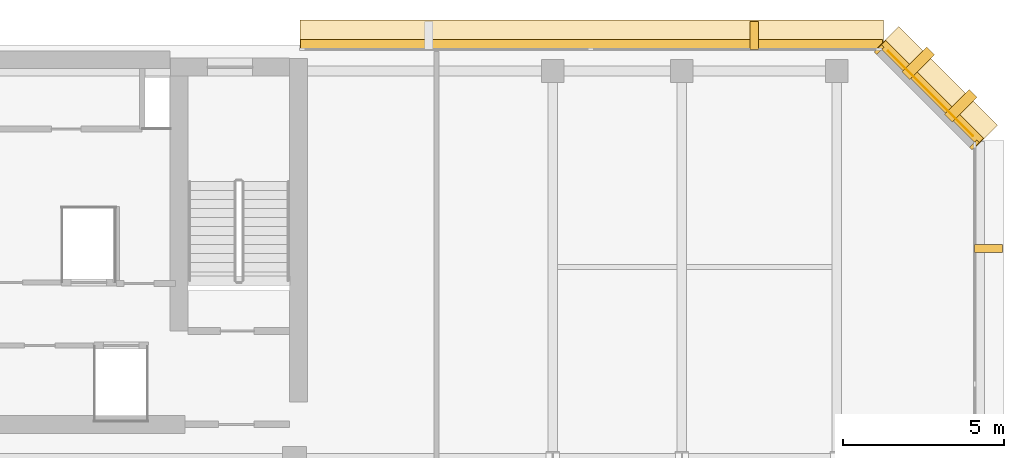
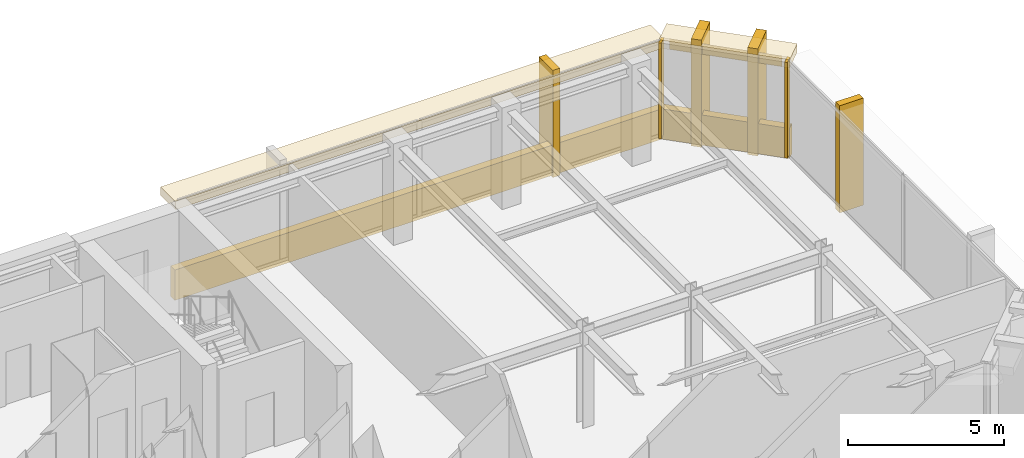
# One storey, part 11 of 11: 11 coverings.
"""IFC4 building model written with IfcOpenShell, lengths in metres."""

from ifc_helpers import new_model, si_unit, direction, frame, origin, origin_2d, place, context, subcontext, project, spatial, rectangle, extrude, material, layer, layer_set, type_object, element, save


model = new_model("IFC4")

# Units and contexts
model_context = context("Model", 3, precision=1e-05, world=origin(), true_north=direction((0.0, 1.0)))
body_context = subcontext(model_context, "Body", "Model", "MODEL_VIEW")
ifc_project = project(units=[si_unit("LENGTHUNIT", "METRE"), si_unit("AREAUNIT", "SQUARE_METRE"), si_unit("VOLUMEUNIT", "CUBIC_METRE"), si_unit("PLANEANGLEUNIT", "RADIAN"), si_unit("MASSUNIT", "GRAM", prefix="KILO")], contexts=[model_context])

# Site, building, storey
site_placement = place(None, origin())
site = spatial("IfcSite", under=ifc_project, at=site_placement, CompositionType="ELEMENT")
building_placement = place(site_placement, origin())
building = spatial("IfcBuilding", under=site, at=building_placement, Name="Kefirva Bronze Tower", CompositionType="ELEMENT")
storey_placement = place(building_placement, frame((0.0, 0.0, 323.72998046875)))
storey = spatial("IfcBuildingStorey", under=building, at=storey_placement, Name="L79", CompositionType="ELEMENT", Elevation=323.72998046875)

# Coverings
ifc_material = material(Name="Bronze anodised aluminium", Category="aluminium")
ifc_layer_1 = layer(ifc_material, 0.02001953125, Name="Bronze anodised aluminium")
ifc_layer_set_1 = layer_set([ifc_layer_1], Name="Bronze anodised aluminium")
covering_type_1 = type_object("IfcCoveringType", Name="Anodised Bronze Spandrel Cladding 20mm", PredefinedType="CLADDING", material=ifc_layer_set_1)
covering_1_placement = place(storey_placement, frame((42.906982421875, 44.507080078125, 3.320068359375), z_axis=(0.0, 0.0, 1.0), x_axis=(-0.707106781187, 0.707106781187, 0.0)))
element("IfcCovering", 1, at=covering_1_placement, inside=storey, type_object=covering_type_1, Name="L79 Bronze Spandrel Cladding 5", PredefinedType="CLADDING", context=body_context, shape_type="SweptSolid", body=[
    extrude(rectangle(XDim=3.719482421875, YDim=0.02001953125, at=origin_2d()), origin(), (0.0, 0.0, 1.0), 0.39990234375),
])
for number, where, z_axis, x_axis, name in (
    (2, (44.26220703125, 42.91162109375, 0.0), (0.0, 0.0, 1.0), (-0.707106781187, 0.707106781187, 0.0), "L79 Facade Joint Closure Panel 5S"),
    (3, (41.311767578125, 45.862060546875, 0.0), (0.0, 0.0, 1.0), (-0.707106781187, 0.707106781187, 0.0), "L79 Facade Joint Closure Panel 5E"),
):
    element("IfcCovering", number, at=place(storey_placement, frame(where, z_axis=z_axis, x_axis=x_axis)), inside=storey, type_object=covering_type_1, Name=name, PredefinedType="CLADDING", context=body_context, shape_type="SweptSolid", body=[
        extrude(rectangle(XDim=0.10009765625, YDim=0.320068359375, at=origin_2d()), origin(), (0.0, 0.0, 1.0), 3.739990234375),
    ])
covering_2_placement = place(storey_placement, frame((42.92822265625, 44.5283203125, -0.16015625), z_axis=(0.0, 0.0, 1.0), x_axis=(-0.707106781187, 0.707106781187, 0.0)))
element("IfcCovering", 4, at=covering_2_placement, inside=storey, type_object=covering_type_1, Name="L79 Streamline Horizontal Spandrel Band 7", PredefinedType="CLADDING", context=body_context, shape_type="SweptSolid", body=[
    extrude(rectangle(XDim=4.28271484375, YDim=0.280029296875, at=origin_2d()), origin(), (0.0, 0.0, 1.0), 1.179931640625),
])
covering_3_placement = place(storey_placement, frame((32.402587890625, 46.0400390625, -0.16015625), z_axis=(0.0, 0.0, 1.0), x_axis=(-1.0, 0.0, 0.0)))
element("IfcCovering", 5, at=covering_3_placement, inside=storey, type_object=covering_type_1, Name="L79 Streamline Horizontal Spandrel Band 8", PredefinedType="CLADDING", context=body_context, shape_type="SweptSolid", body=[
    extrude(rectangle(XDim=18.034912109375, YDim=0.280029296875, at=origin_2d()), origin(), (0.0, 0.0, 1.0), 1.179931640625),
])
ifc_layer_2 = layer(ifc_material, 0.179931640625, Name="Bronze anodised aluminium")
ifc_layer_set_2 = layer_set([ifc_layer_2], Name="Bronze anodised aluminium")
covering_type_2 = type_object("IfcCoveringType", Name="Streamline Bronze Sunshade Eyebrow Cladding 180mm", PredefinedType="CLADDING", material=ifc_layer_set_2)
covering_4_placement = place(storey_placement, frame((43.119140625, 44.71923828125, 3.419921875), z_axis=(0.0, 0.0, 1.0), x_axis=(-0.707106781187, 0.707106781187, 0.0)))
element("IfcCovering", 6, at=covering_4_placement, inside=storey, type_object=covering_type_2, Name="L79 Streamline Bronze Sunshade Eyebrow 7", PredefinedType="CLADDING", context=body_context, shape_type="SweptSolid", body=[
    extrude(rectangle(XDim=4.322509765625, YDim=0.93994140625, at=origin_2d()), origin(), (0.0, 0.0, 1.0), 0.320068359375),
])
covering_5_placement = place(storey_placement, frame((32.402587890625, 46.31005859375, 3.419921875), z_axis=(0.0, 0.0, 1.0), x_axis=(-1.0, 0.0, 0.0)))
element("IfcCovering", 7, at=covering_5_placement, inside=storey, type_object=covering_type_2, Name="L79 Streamline Bronze Sunshade Eyebrow 8", PredefinedType="CLADDING", context=body_context, shape_type="SweptSolid", body=[
    extrude(rectangle(XDim=18.074951171875, YDim=0.93994140625, at=origin_2d()), origin(), (0.0, 0.0, 1.0), 0.320068359375),
])
ifc_layer_3 = layer(ifc_material, 0.260009765625, Name="Bronze anodised aluminium")
ifc_layer_set_3 = layer_set([ifc_layer_3], Name="Bronze anodised aluminium")
covering_type_3 = type_object("IfcCoveringType", Name="Unbroken Bronze Buttress Fin Cladding 260mm", PredefinedType="CLADDING", material=ifc_layer_set_3)
covering_6_placement = place(storey_placement, frame((44.699951171875, 39.699951171875, -0.2197265625), z_axis=(0.0, 0.0, 1.0), x_axis=(0.0, 1.0, 0.0)))
element("IfcCovering", 8, at=covering_6_placement, inside=storey, type_object=covering_type_3, Name="L79 Unbroken Vertical Bronze Rib Fin 14", PredefinedType="CLADDING", context=body_context, shape_type="SweptSolid", body=[
    extrude(rectangle(XDim=0.260009765625, YDim=0.8798828125, at=origin_2d()), origin(), (0.0, 0.0, 1.0), 4.179931640625),
])
for number, where, z_axis, x_axis, name in (
    (9, (43.8427734375, 44.122802734375, -0.2197265625), (0.0, 0.0, 1.0), (-0.707106781187, 0.707106781187, 0.0), "L79 Chamfered Corner Buttress Fin Cladding 15"),
    (10, (42.522705078125, 45.44287109375, -0.2197265625), (0.0, 0.0, 1.0), (-0.707106781187, 0.707106781187, 0.0), "L79 Chamfered Corner Buttress Fin Cladding 16"),
):
    element("IfcCovering", number, at=place(storey_placement, frame(where, z_axis=z_axis, x_axis=x_axis)), inside=storey, type_object=covering_type_3, Name=name, PredefinedType="CLADDING", context=body_context, shape_type="SweptSolid", body=[
        extrude(rectangle(XDim=0.340087890625, YDim=1.080078125, at=origin_2d()), origin(), (0.0, 0.0, 1.0), 4.179931640625),
    ])
covering_7_placement = place(storey_placement, frame((37.441162109375, 46.300048828125, -0.2197265625), z_axis=(0.0, 0.0, 1.0), x_axis=(-1.0, 0.0, 0.0)))
element("IfcCovering", 11, at=covering_7_placement, inside=storey, type_object=covering_type_3, Name="L79 Unbroken Vertical Bronze Rib Fin 17", PredefinedType="CLADDING", context=body_context, shape_type="SweptSolid", body=[
    extrude(rectangle(XDim=0.260009765625, YDim=0.8798828125, at=origin_2d()), origin(), (0.0, 0.0, 1.0), 4.179931640625),
])

save(model, "model.ifc")
